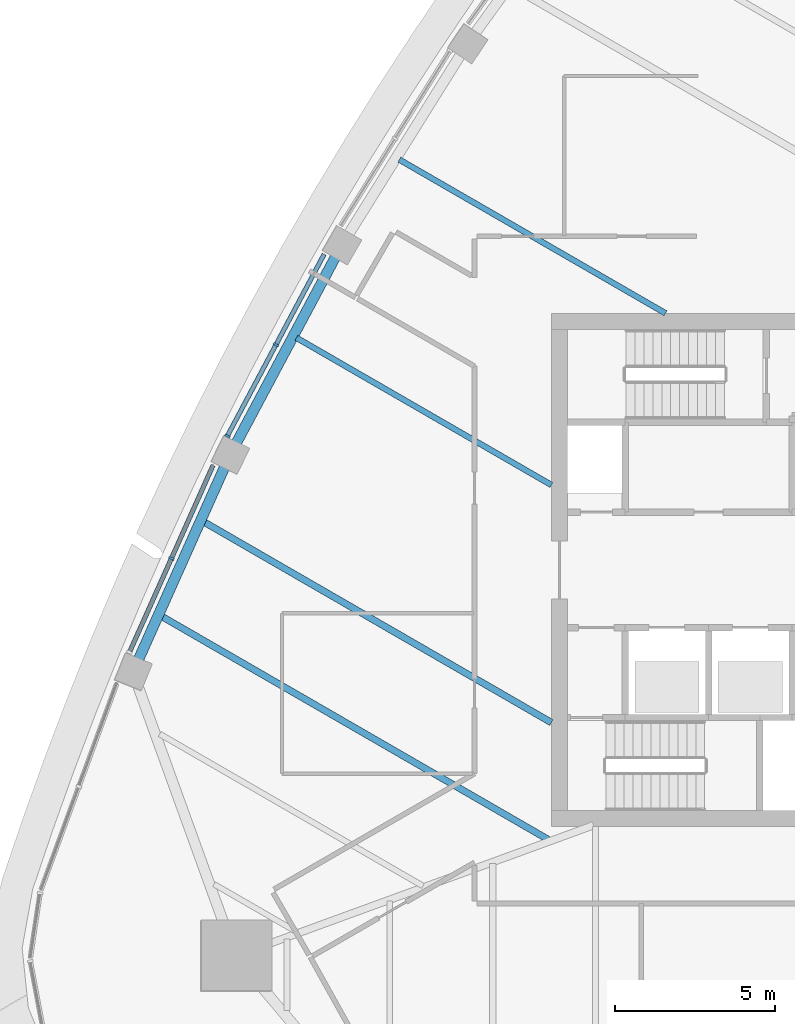
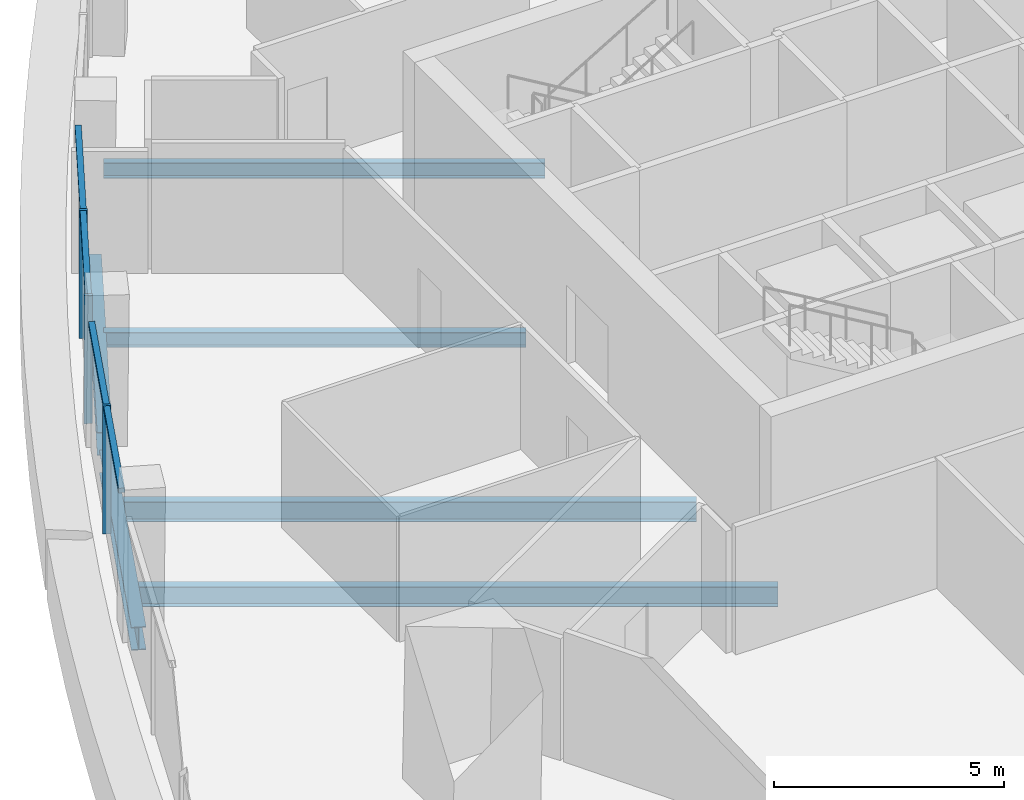
# One storey, part 3 of 15: 7 members, 6 beams, 2 elements without a shape of their own.
"""IFC4 building model written with IfcOpenShell, lengths in metres."""

from ifc_helpers import new_model, si_unit, direction, frame, origin, origin_2d, place, context, subcontext, project, spatial, rectangle, i_section, extrude, material, layer, layer_set, material_profile, profile_set, type_object, element, aggregate, save


model = new_model("IFC4")

# Units and contexts
model_context = context("Model", 3, precision=1e-05, world=origin(), true_north=direction((0.0, 1.0)))
body_context = subcontext(model_context, "Body", "Model", "MODEL_VIEW")
ifc_project = project(units=[si_unit("LENGTHUNIT", "METRE"), si_unit("AREAUNIT", "SQUARE_METRE"), si_unit("VOLUMEUNIT", "CUBIC_METRE"), si_unit("PLANEANGLEUNIT", "RADIAN"), si_unit("MASSUNIT", "GRAM", prefix="KILO")], contexts=[model_context])

# Site, building, storey
site_placement = place(None, origin())
site = spatial("IfcSite", under=ifc_project, at=site_placement, CompositionType="ELEMENT")
building_placement = place(site_placement, origin())
building = spatial("IfcBuilding", under=site, at=building_placement, Name="Sierra Prisma Convention Tower", CompositionType="ELEMENT")
storey_placement = place(building_placement, frame((0.0, 0.0, 283.0)))
storey = spatial("IfcBuildingStorey", under=building, at=storey_placement, Name="L64", CompositionType="ELEMENT", Elevation=283.0)

# Curtain wall, members
ifc_material_1 = material(Name="Aluminium and glass curtain wall", Category="aluminium")
ifc_layer = layer(ifc_material_1, 0.179931640625)
ifc_layer_set = layer_set([ifc_layer], Name="CW-1 Plain shaft curtain wall")
curtain_wall_type = type_object("IfcCurtainWallType", Name="CW-1 Plain shaft curtain wall", PredefinedType="NOTDEFINED", material=ifc_layer_set)
curtain_wall_1_placement = place(storey_placement, origin())
curtain_wall_1 = element("IfcCurtainWall", 1, at=curtain_wall_1_placement, inside=storey, type_object=curtain_wall_type, Name="CW-1 NW4 L64", PredefinedType="NOTDEFINED")
ifc_material_2 = material(Name="Aluminium 6063-T6 bronze anodised", Category="aluminium")
ifc_material_profile_1 = material_profile(ifc_material_2, rectangle(XDim=0.179931640625, YDim=0.070068359375, at=origin_2d()), Name="ALU MULLION 70x180")
ifc_profile_set_1 = profile_set([ifc_material_profile_1], Name="Aluminium 6063-T6 bronze anodised")
member_type_1 = type_object("IfcMemberType", Name="CW mullion bronze", PredefinedType="MULLION", material=ifc_profile_set_1)
member_1_placement = place(storey_placement, frame((-19.58349609375, 7.0224609375, 0.0), z_axis=(0.0, 0.0, 1.0), x_axis=(0.882695925243, -0.469944574988, 0.0)))
member_1 = element("IfcMember", 2, at=member_1_placement, type_object=member_type_1, Name="CW-1 mullion NW4.2", PredefinedType="MULLION", context=body_context, shape_type="SweptSolid", body=[
    extrude(rectangle(XDim=0.179931640625, YDim=0.070068359375, at=origin_2d()), origin(), (0.0, 0.0, 1.0), 3.39990234375),
])
member_2_placement = place(storey_placement, frame((-21.10009765625, 4.173828125, 0.0), z_axis=(0.0, 0.0, 1.0), x_axis=(0.882695925243, -0.469944574988, 0.0)))
member_2 = element("IfcMember", 3, at=member_2_placement, type_object=member_type_1, Name="CW-1 mullion NW4.3", PredefinedType="MULLION", context=body_context, shape_type="SweptSolid", body=[
    extrude(rectangle(XDim=0.179931640625, YDim=0.070068359375, at=origin_2d()), origin(), (0.0, 0.0, 1.0), 3.39990234375),
])

# Curtain wall, member
curtain_wall_2_placement = place(storey_placement, origin())
curtain_wall_2 = element("IfcCurtainWall", 4, at=curtain_wall_2_placement, inside=storey, type_object=curtain_wall_type, Name="CW-1 NW5 L64", PredefinedType="NOTDEFINED")
member_3_placement = place(storey_placement, frame((-22.842529296875, 0.360595703125, 0.0), z_axis=(0.0, 0.0, 1.0), x_axis=(0.912890494401, -0.408204538475, 0.0)))
member_3 = element("IfcMember", 5, at=member_3_placement, type_object=member_type_1, Name="CW-1 mullion NW5.2", PredefinedType="MULLION", context=body_context, shape_type="SweptSolid", body=[
    extrude(rectangle(XDim=0.179931640625, YDim=0.070068359375, at=origin_2d()), origin(), (0.0, 0.0, 1.0), 3.39990234375),
])

# Member
ifc_material_3 = material(Name="Aluminium 6063-T6 bronze anodised", Category="aluminium")
ifc_material_profile_2 = material_profile(ifc_material_3, rectangle(XDim=0.139892578125, YDim=0.1201171875, at=origin_2d()), Name="ALU TRANSOM 120x140")
ifc_profile_set_2 = profile_set([ifc_material_profile_2], Name="Aluminium 6063-T6 bronze anodised")
member_type_2 = type_object("IfcMemberType", Name="CW transom bronze", PredefinedType="USERDEFINED", material=ifc_profile_set_2)
member_4_placement = place(storey_placement, frame((-18.083251953125, 9.84033203125, 3.340087890625), z_axis=(-0.469925859609, -0.882705888997, 0.0), x_axis=(0.882705888997, -0.469925859609, 0.0)))
member_4 = element("IfcMember", 6, at=member_4_placement, type_object=member_type_2, Name="CW-1 transom NW4.1", ObjectType="TRANSOM", PredefinedType="USERDEFINED", context=body_context, shape_type="SweptSolid", body=[
    extrude(rectangle(XDim=0.139892578125, YDim=0.1201171875, at=origin_2d()), origin(), (0.0, 0.0, 1.0), 3.1572265625),
])

member_5_placement = place(storey_placement, frame((-19.599853515625, 6.99169921875, 3.340087890625), z_axis=(-0.469925859609, -0.882705888997, 0.0), x_axis=(0.882705888997, -0.469925859609, 0.0)))
member_5 = element("IfcMember", 7, at=member_5_placement, type_object=member_type_2, Name="CW-1 transom NW4.2", ObjectType="TRANSOM", PredefinedType="USERDEFINED", context=body_context, shape_type="SweptSolid", body=[
    extrude(rectangle(XDim=0.139892578125, YDim=0.1201171875, at=origin_2d()), origin(), (0.0, 0.0, 1.0), 3.1572265625),
])

aggregate(curtain_wall_1, [member_1, member_2, member_4, member_5])

member_6_placement = place(storey_placement, frame((-21.5458984375, 3.26025390625, 3.340087890625), z_axis=(-0.408250175583, -0.912870086122, 0.0), x_axis=(0.912870086122, -0.408250175583, 0.0)))
member_6 = element("IfcMember", 8, at=member_6_placement, type_object=member_type_2, Name="CW-1 transom NW5.1", ObjectType="TRANSOM", PredefinedType="USERDEFINED", context=body_context, shape_type="SweptSolid", body=[
    extrude(rectangle(XDim=0.139892578125, YDim=0.1201171875, at=origin_2d()), origin(), (0.0, 0.0, 1.0), 3.141357421875),
])

member_7_placement = place(storey_placement, frame((-22.85693359375, 0.32861328125, 3.340087890625), z_axis=(-0.408185408014, -0.912899048463, 0.0), x_axis=(0.912899048463, -0.408185408014, 0.0)))
member_7 = element("IfcMember", 9, at=member_7_placement, type_object=member_type_2, Name="CW-1 transom NW5.2", ObjectType="TRANSOM", PredefinedType="USERDEFINED", context=body_context, shape_type="SweptSolid", body=[
    extrude(rectangle(XDim=0.139892578125, YDim=0.1201171875, at=origin_2d()), origin(), (0.0, 0.0, 1.0), 3.141357421875),
])

aggregate(curtain_wall_2, [member_3, member_6, member_7])

# Beams
ifc_material_4 = material(Name="Steel ASTM A992 Gr 50", Category="steel")
ifc_material_profile_3 = material_profile(ifc_material_4, i_section(OverallWidth=0.177978515625, OverallDepth=0.406982421875, WebThickness=0.0078125, FlangeThickness=0.0126953125, at=origin_2d()), Name="W410x60")
ifc_profile_set_3 = profile_set([ifc_material_profile_3], Name="Steel ASTM A992 Gr 50")
beam_type_1 = type_object("IfcBeamType", Name="Floor joist W410x60", PredefinedType="JOIST", material=ifc_profile_set_3)
beam_1_placement = place(storey_placement, frame((-15.739501953125, 12.7900390625, -0.353515625), z_axis=(0.866026443251, -0.499998199587, 0.0), x_axis=(0.499998199587, 0.866026443251, 0.0)))
element("IfcBeam", 10, at=beam_1_placement, inside=storey, type_object=beam_type_1, Name="Floor joist L64 NW06", PredefinedType="JOIST", context=body_context, shape_type="SweptSolid", body=[
    extrude(i_section(OverallWidth=0.177978515625, OverallDepth=0.406982421875, WebThickness=0.0078125, FlangeThickness=0.0126953125, at=origin_2d()), origin(), (0.0, 0.0, 1.0), 9.580078125),
])
beam_2_placement = place(storey_placement, frame((-18.9462890625, 7.235595703125, -0.353515625), z_axis=(0.866032277009, -0.499988095037, 0.0), x_axis=(0.499988095037, 0.866032277009, 0.0)))
element("IfcBeam", 11, at=beam_2_placement, inside=storey, type_object=beam_type_1, Name="Floor joist L64 NW08", PredefinedType="JOIST", context=body_context, shape_type="SweptSolid", body=[
    extrude(i_section(OverallWidth=0.177978515625, OverallDepth=0.406982421875, WebThickness=0.0078125, FlangeThickness=0.0126953125, at=origin_2d()), origin(), (0.0, 0.0, 1.0), 9.175537109375),
])
ifc_material_5 = material(Name="Steel ASTM A992 Gr 50", Category="steel")
ifc_material_profile_4 = material_profile(ifc_material_5, i_section(OverallWidth=0.208984375, OverallDepth=0.532958984375, WebThickness=0.01025390625, FlangeThickness=0.015625, at=origin_2d()), Name="W530x92")
ifc_profile_set_4 = profile_set([ifc_material_profile_4], Name="Steel ASTM A992 Gr 50")
beam_type_2 = type_object("IfcBeamType", Name="Floor joist W530x92", PredefinedType="JOIST", material=ifc_profile_set_4)
beam_3_placement = place(storey_placement, frame((-21.828857421875, 1.494140625, -0.41650390625), z_axis=(0.866028542009, -0.499994564396, 0.0), x_axis=(0.499994564396, 0.866028542009, 0.0)))
element("IfcBeam", 12, at=beam_3_placement, inside=storey, type_object=beam_type_2, Name="Floor joist L64 NW10", PredefinedType="JOIST", context=body_context, shape_type="SweptSolid", body=[
    extrude(i_section(OverallWidth=0.208984375, OverallDepth=0.532958984375, WebThickness=0.01025390625, FlangeThickness=0.015625, at=origin_2d()), origin(), (0.0, 0.0, 1.0), 12.504150390625),
])
beam_4_placement = place(storey_placement, frame((-23.14501953125, -1.448974609375, -0.41650390625), z_axis=(0.86603213904, -0.499988334014, 0.0), x_axis=(0.499988334014, 0.86603213904, 0.0)))
element("IfcBeam", 13, at=beam_4_placement, inside=storey, type_object=beam_type_2, Name="Floor joist L64 NW11", PredefinedType="JOIST", context=body_context, shape_type="SweptSolid", body=[
    extrude(i_section(OverallWidth=0.208984375, OverallDepth=0.532958984375, WebThickness=0.01025390625, FlangeThickness=0.015625, at=origin_2d()), origin(), (0.0, 0.0, 1.0), 13.936279296875),
])
ifc_material_6 = material(Name="Steel ASTM A992 Gr 50", Category="steel")
ifc_material_profile_5 = material_profile(ifc_material_6, i_section(OverallWidth=0.324951171875, OverallDepth=0.615966796875, WebThickness=0.013916015625, FlangeThickness=0.021484375, at=origin_2d()), Name="W610x174")
ifc_profile_set_5 = profile_set([ifc_material_profile_5], Name="Steel ASTM A992 Gr 50")
beam_type_3 = type_object("IfcBeamType", Name="Spandrel beam W610x174", PredefinedType="BEAM", material=ifc_profile_set_5)
for number, where, z_axis, x_axis, name in (
    (14, (-17.69091796875, 9.832763671875, -0.4580078125), (-0.469948148881, -0.882694022504, 0.0), (0.882694022504, -0.469948148881, 0.0), "Spandrel L64-16"),
    (15, (-21.154052734375, 3.27978515625, -0.4580078125), (-0.408224135385, -0.912881731272, 0.0), (0.912881731272, -0.408224135385, 0.0), "Spandrel L64-17"),
):
    element("IfcBeam", number, at=place(storey_placement, frame(where, z_axis=z_axis, x_axis=x_axis)), inside=storey, type_object=beam_type_3, Name=name, PredefinedType="BEAM", context=body_context, shape_type="SweptSolid", body=[
        extrude(i_section(OverallWidth=0.324951171875, OverallDepth=0.615966796875, WebThickness=0.013916015625, FlangeThickness=0.021484375, at=origin_2d()), origin(), (0.0, 0.0, 1.0), 6.751953125),
    ])

save(model, "model.ifc")
